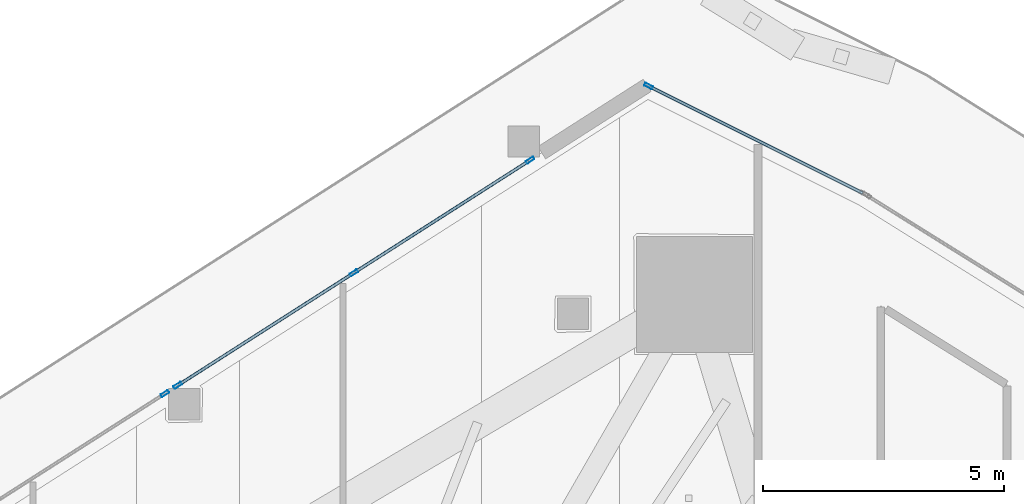
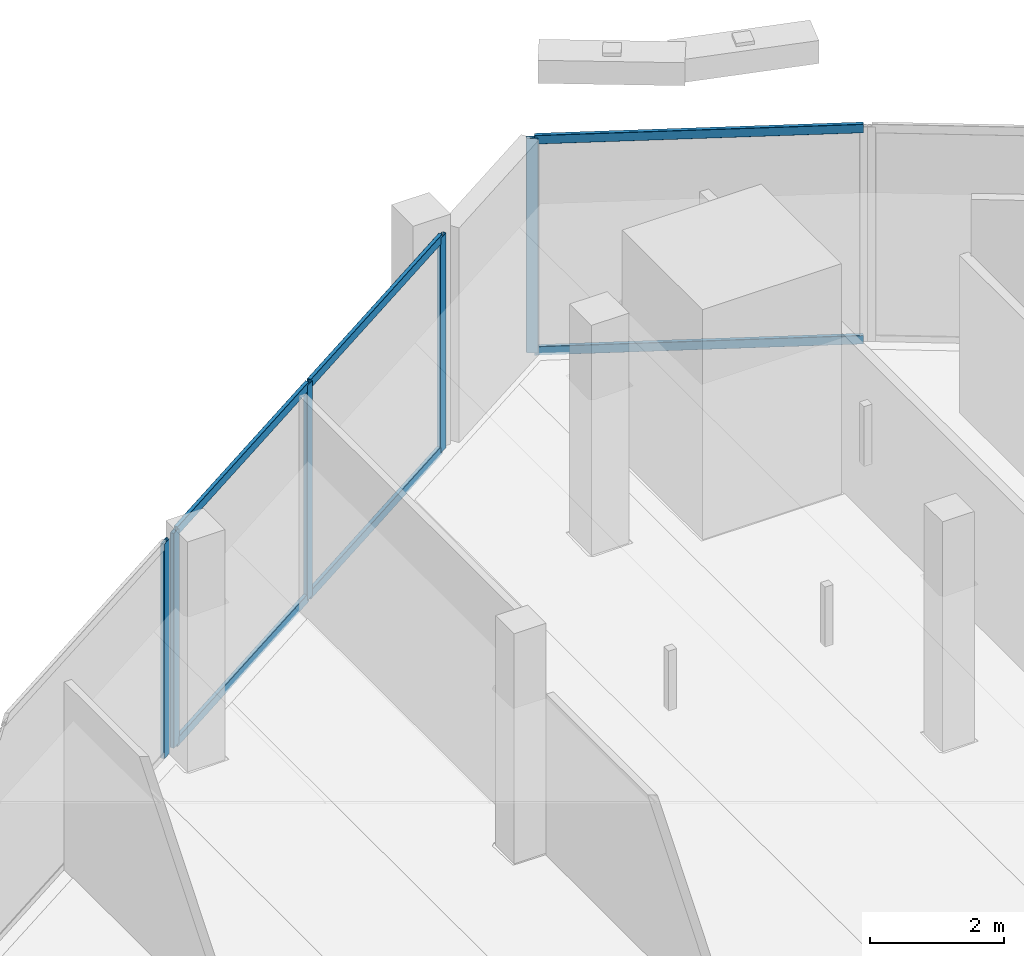
# One storey, part 22 of 45: 11 members, 3 elements without a shape of their own.
"""IFC4 building model written with IfcOpenShell, lengths in metres."""

from ifc_helpers import new_model, si_unit, direction, frame, origin, origin_2d, place, context, subcontext, project, spatial, hollow_rectangle, extrude, material, layer, layer_set, material_profile, profile_set, type_object, element, aggregate, save


model = new_model("IFC4")

# Units and contexts
model_context = context("Model", 3, precision=1e-05, world=origin(), true_north=direction((0.0, 1.0)))
body_context = subcontext(model_context, "Body", "Model", "MODEL_VIEW")
ifc_project = project(units=[si_unit("LENGTHUNIT", "METRE"), si_unit("AREAUNIT", "SQUARE_METRE"), si_unit("VOLUMEUNIT", "CUBIC_METRE"), si_unit("PLANEANGLEUNIT", "RADIAN"), si_unit("MASSUNIT", "GRAM", prefix="KILO")], contexts=[model_context])

# Site, building, storey
site_placement = place(None, origin())
site = spatial("IfcSite", under=ifc_project, at=site_placement, CompositionType="ELEMENT")
building_placement = place(site_placement, origin())
building = spatial("IfcBuilding", under=site, at=building_placement, Name="Qorvath Tower", CompositionType="ELEMENT")
storey_placement = place(building_placement, frame((0.0, 0.0, 91.199951171875)))
storey = spatial("IfcBuildingStorey", under=building, at=storey_placement, Name="L20", CompositionType="ELEMENT", Elevation=91.199951171875)

# Curtain wall, member
ifc_material_1 = material(Name="Anodised aluminium and triple low-E glass", Category="aluminium")
ifc_layer = layer(ifc_material_1, 0.179931640625)
ifc_layer_set = layer_set([ifc_layer], Name="CW-SYS-2")
curtain_wall_type = type_object("IfcCurtainWallType", Name="CW-SYS-2", PredefinedType="NOTDEFINED", material=ifc_layer_set)
curtain_wall_1_placement = place(storey_placement, origin())
curtain_wall_1 = element("IfcCurtainWall", 1, at=curtain_wall_1_placement, inside=storey, type_object=curtain_wall_type, Name="Curtain Wall CW-2 CW-T-L20-15.1", PredefinedType="NOTDEFINED")
ifc_material_2 = material(Name="Anodised aluminium 6063-T6", Category="aluminium")
ifc_material_profile_1 = material_profile(ifc_material_2, hollow_rectangle(XDim=0.06494140625, YDim=0.179931640625, WallThickness=0.00341796875, InnerFilletRadius=0.00341796875, OuterFilletRadius=0.007080078125, at=origin_2d()), Name="CWM 180x65")
ifc_profile_set_1 = profile_set([ifc_material_profile_1], Name="Anodised aluminium 6063-T6")
member_type_1 = type_object("IfcMemberType", Name="CWM-180", PredefinedType="MULLION", material=ifc_profile_set_1)
member_1_placement = place(storey_placement, frame((-15.416748046875, 31.64794921875, 0.0), z_axis=(0.0, 0.0, 1.0), x_axis=(-0.447245233408, -0.894411371347, 0.0)))
member_1 = element("IfcMember", 2, at=member_1_placement, type_object=member_type_1, Name="CW-2 mullion 2", PredefinedType="MULLION", context=body_context, shape_type="SweptSolid", body=[
    extrude(hollow_rectangle(XDim=0.06494140625, YDim=0.179931640625, WallThickness=0.00341796875, InnerFilletRadius=0.00341796875, OuterFilletRadius=0.007080078125, at=origin_2d()), origin(), (0.0, 0.0, 1.0), 3.920166015625),
])

# Curtain wall, members
curtain_wall_2_placement = place(storey_placement, origin())
curtain_wall_2 = element("IfcCurtainWall", 3, at=curtain_wall_2_placement, inside=storey, type_object=curtain_wall_type, Name="Curtain Wall CW-2 CW-T-L20-16.2", PredefinedType="NOTDEFINED")
member_2_placement = place(storey_placement, frame((-17.870849609375, 30.1123046875, 0.0), z_axis=(0.0, 0.0, 1.0), x_axis=(0.538539989809, -0.842599952158, 0.0)))
member_2 = element("IfcMember", 4, at=member_2_placement, type_object=member_type_1, Name="CW-2 mullion 1", PredefinedType="MULLION", context=body_context, shape_type="SweptSolid", body=[
    extrude(hollow_rectangle(XDim=0.06494140625, YDim=0.179931640625, WallThickness=0.00341796875, InnerFilletRadius=0.00341796875, OuterFilletRadius=0.007080078125, at=origin_2d()), origin(), (0.0, 0.0, 1.0), 3.920166015625),
])
member_3_placement = place(storey_placement, frame((-21.521240234375, 27.779296875, 0.0), z_axis=(0.0, 0.0, 1.0), x_axis=(0.538539989809, -0.842599952158, 0.0)))
member_3 = element("IfcMember", 5, at=member_3_placement, type_object=member_type_1, Name="CW-2 mullion 2", PredefinedType="MULLION", context=body_context, shape_type="SweptSolid", body=[
    extrude(hollow_rectangle(XDim=0.06494140625, YDim=0.179931640625, WallThickness=0.00341796875, InnerFilletRadius=0.00341796875, OuterFilletRadius=0.007080078125, at=origin_2d()), origin(), (0.0, 0.0, 1.0), 3.920166015625),
])
member_4_placement = place(storey_placement, frame((-25.171630859375, 25.4462890625, 0.0), z_axis=(0.0, 0.0, 1.0), x_axis=(0.538539989809, -0.842599952158, 0.0)))
member_4 = element("IfcMember", 6, at=member_4_placement, type_object=member_type_1, Name="CW-2 mullion 3", PredefinedType="MULLION", context=body_context, shape_type="SweptSolid", body=[
    extrude(hollow_rectangle(XDim=0.06494140625, YDim=0.179931640625, WallThickness=0.00341796875, InnerFilletRadius=0.00341796875, OuterFilletRadius=0.007080078125, at=origin_2d()), origin(), (0.0, 0.0, 1.0), 3.920166015625),
])

# Curtain wall, member
curtain_wall_3_placement = place(storey_placement, origin())
curtain_wall_3 = element("IfcCurtainWall", 7, at=curtain_wall_3_placement, inside=storey, type_object=curtain_wall_type, Name="Curtain Wall CW-2 CW-T-L20-16.3", PredefinedType="NOTDEFINED")
member_5_placement = place(storey_placement, frame((-25.43505859375, 25.27783203125, 0.0), z_axis=(0.0, 0.0, 1.0), x_axis=(0.538540700777, -0.842599497749, 0.0)))
member_5 = element("IfcMember", 8, at=member_5_placement, type_object=member_type_1, Name="CW-2 mullion 1", PredefinedType="MULLION", context=body_context, shape_type="SweptSolid", body=[
    extrude(hollow_rectangle(XDim=0.06494140625, YDim=0.179931640625, WallThickness=0.00341796875, InnerFilletRadius=0.00341796875, OuterFilletRadius=0.007080078125, at=origin_2d()), origin(), (0.0, 0.0, 1.0), 3.920166015625),
])
aggregate(curtain_wall_3, [member_5])

# Member
ifc_material_3 = material(Name="Anodised aluminium 6063-T6", Category="aluminium")
ifc_material_profile_2 = material_profile(ifc_material_3, hollow_rectangle(XDim=0.06494140625, YDim=0.159912109375, WallThickness=0.00341796875, InnerFilletRadius=0.00341796875, OuterFilletRadius=0.007080078125, at=origin_2d()), Name="CWT 160x65")
ifc_profile_set_2 = profile_set([ifc_material_profile_2], Name="Anodised aluminium 6063-T6")
member_type_2 = type_object("IfcMemberType", Name="CWT-160", PredefinedType="USERDEFINED", material=ifc_profile_set_2)
member_6_placement = place(storey_placement, frame((-10.980712890625, 29.4296875, 0.032470703125), z_axis=(-0.894417280889, 0.447233415174, 0.0), x_axis=(-0.447233415174, -0.894417280889, 0.0)))
member_6 = element("IfcMember", 9, at=member_6_placement, type_object=member_type_2, Name="CW-2 transom 1.1", ObjectType="TRANSOM", PredefinedType="USERDEFINED", context=body_context, shape_type="SweptSolid", body=[
    extrude(hollow_rectangle(XDim=0.06494140625, YDim=0.159912109375, WallThickness=0.00341796875, InnerFilletRadius=0.00341796875, OuterFilletRadius=0.007080078125, at=origin_2d()), origin(), (0.0, 0.0, 1.0), 4.92724609375),
])

member_7_placement = place(storey_placement, frame((-10.980712890625, 29.4296875, 3.8876953125), z_axis=(-0.894417280889, 0.447233415174, 0.0), x_axis=(-0.447233415174, -0.894417280889, 0.0)))
member_7 = element("IfcMember", 10, at=member_7_placement, type_object=member_type_2, Name="CW-2 transom 1.2", ObjectType="TRANSOM", PredefinedType="USERDEFINED", context=body_context, shape_type="SweptSolid", body=[
    extrude(hollow_rectangle(XDim=0.06494140625, YDim=0.159912109375, WallThickness=0.00341796875, InnerFilletRadius=0.00341796875, OuterFilletRadius=0.007080078125, at=origin_2d()), origin(), (0.0, 0.0, 1.0), 4.92724609375),
])

aggregate(curtain_wall_1, [member_1, member_6, member_7])

member_8_placement = place(storey_placement, frame((-17.898193359375, 30.094970703125, 0.032470703125), z_axis=(-0.842606841947, -0.538529209889, 0.0), x_axis=(0.538529209889, -0.842606841947, 0.0)))
member_8 = element("IfcMember", 11, at=member_8_placement, type_object=member_type_2, Name="CW-2 transom 1.1", ObjectType="TRANSOM", PredefinedType="USERDEFINED", context=body_context, shape_type="SweptSolid", body=[
    extrude(hollow_rectangle(XDim=0.06494140625, YDim=0.159912109375, WallThickness=0.00341796875, InnerFilletRadius=0.00341796875, OuterFilletRadius=0.007080078125, at=origin_2d()), origin(), (0.0, 0.0, 1.0), 4.267333984375),
])

member_9_placement = place(storey_placement, frame((-17.898193359375, 30.094970703125, 3.8876953125), z_axis=(-0.842606841947, -0.538529209889, 0.0), x_axis=(0.538529209889, -0.842606841947, 0.0)))
member_9 = element("IfcMember", 12, at=member_9_placement, type_object=member_type_2, Name="CW-2 transom 1.2", ObjectType="TRANSOM", PredefinedType="USERDEFINED", context=body_context, shape_type="SweptSolid", body=[
    extrude(hollow_rectangle(XDim=0.06494140625, YDim=0.159912109375, WallThickness=0.00341796875, InnerFilletRadius=0.00341796875, OuterFilletRadius=0.007080078125, at=origin_2d()), origin(), (0.0, 0.0, 1.0), 4.267333984375),
])

member_10_placement = place(storey_placement, frame((-21.548583984375, 27.76171875, 0.032470703125), z_axis=(-0.842606841947, -0.538529209889, 0.0), x_axis=(0.538529209889, -0.842606841947, 0.0)))
member_10 = element("IfcMember", 13, at=member_10_placement, type_object=member_type_2, Name="CW-2 transom 2.1", ObjectType="TRANSOM", PredefinedType="USERDEFINED", context=body_context, shape_type="SweptSolid", body=[
    extrude(hollow_rectangle(XDim=0.06494140625, YDim=0.159912109375, WallThickness=0.00341796875, InnerFilletRadius=0.00341796875, OuterFilletRadius=0.007080078125, at=origin_2d()), origin(), (0.0, 0.0, 1.0), 4.267333984375),
])

member_11_placement = place(storey_placement, frame((-21.548583984375, 27.76171875, 3.8876953125), z_axis=(-0.842606841947, -0.538529209889, 0.0), x_axis=(0.538529209889, -0.842606841947, 0.0)))
member_11 = element("IfcMember", 14, at=member_11_placement, type_object=member_type_2, Name="CW-2 transom 2.2", ObjectType="TRANSOM", PredefinedType="USERDEFINED", context=body_context, shape_type="SweptSolid", body=[
    extrude(hollow_rectangle(XDim=0.06494140625, YDim=0.159912109375, WallThickness=0.00341796875, InnerFilletRadius=0.00341796875, OuterFilletRadius=0.007080078125, at=origin_2d()), origin(), (0.0, 0.0, 1.0), 4.267333984375),
])

aggregate(curtain_wall_2, [member_2, member_3, member_4, member_8, member_9, member_10, member_11])

save(model, "model.ifc")
